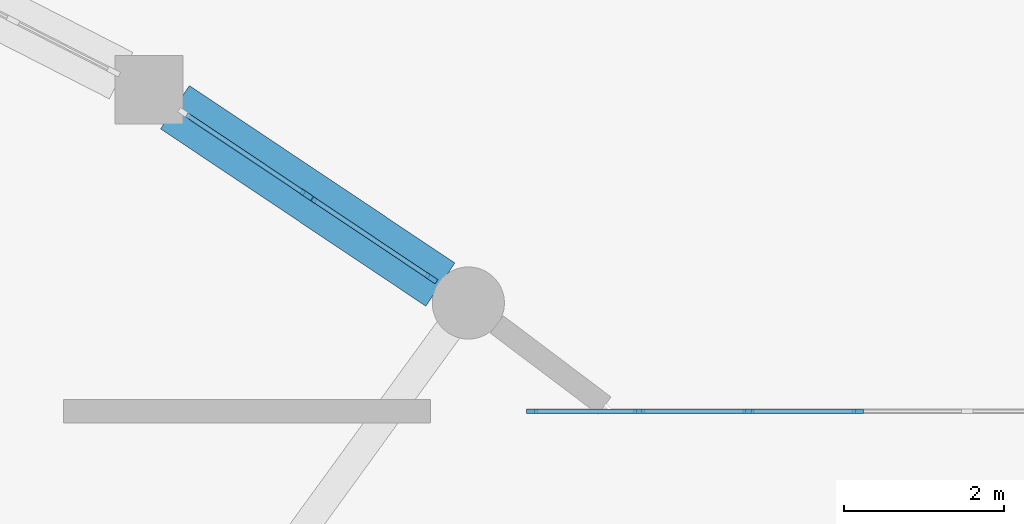
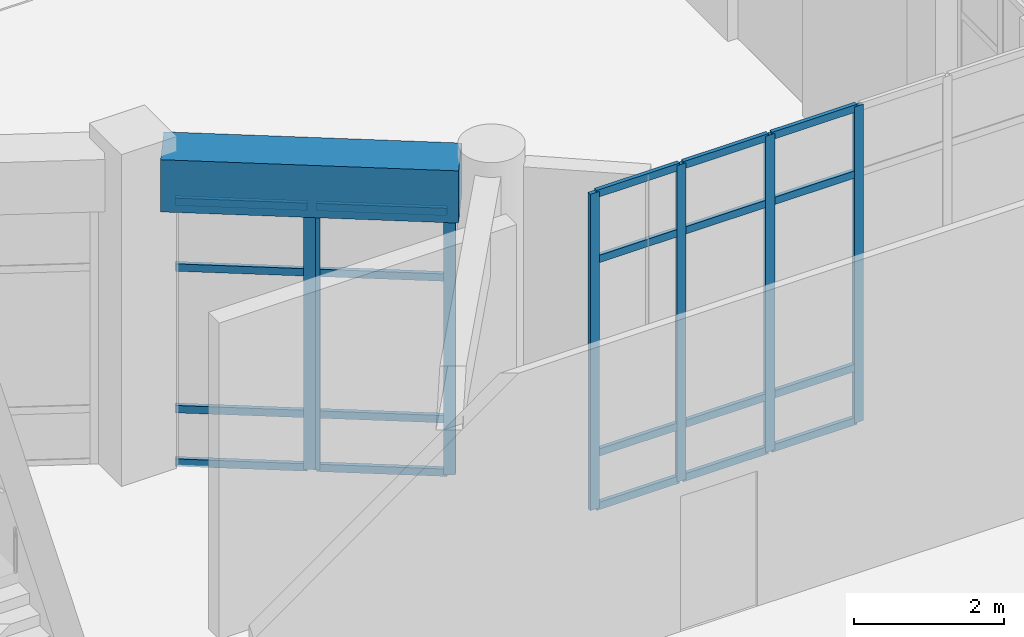
# One storey, part 19 of 70: 27 members, 1 beam, 3 elements without a shape of their own.
"""IFC4 building model written with IfcOpenShell, lengths in metres."""

import ifcopenshell
import ifcopenshell.guid

model = None  # the IFC model being written
_history = None  # IfcOwnerHistory: only IFC2X3 demands one
_inside = {}  # id of a spatial element -> (the spatial element, [elements in it])
_under = {}  # id of a project, library or spatial element -> (it, [spatial elements below it])
_declared = {}  # id of a project -> (the project, [libraries it declares])
_typed = {}  # id of a type object -> (the type object, [elements of that type])
_made_of = {}  # id of a material, layer set ... -> (it, [elements and type objects made of it])


def new_model(schema):
    """Start an empty IFC model of exactly this schema.

    Asked for "IFC4X3", IfcOpenShell would pick the latest addendum, in which some entities
    have other attributes; the version numbers below select the first issue.
    IFC2X3 requires an IfcOwnerHistory on every rooted entity: one is made here for all.
    """
    global model, _history
    if schema == "IFC4X3":
        model = ifcopenshell.file(schema_version=(4, 3, 0, 0))
    else:
        model = ifcopenshell.file(schema=schema)
    _inside.clear()
    _under.clear()
    _declared.clear()
    _typed.clear()
    _made_of.clear()
    _history = None
    if model.schema == "IFC2X3":
        org = make("IfcOrganization", Name="unknown")
        user = make(
            "IfcPersonAndOrganization",
            ThePerson=make("IfcPerson", FamilyName="unknown"),
            TheOrganization=org,
        )
        app = make(
            "IfcApplication",
            ApplicationDeveloper=org,
            Version="unknown",
            ApplicationFullName="unknown",
            ApplicationIdentifier="unknown",
        )
        _history = make(
            "IfcOwnerHistory",
            OwningUser=user,
            OwningApplication=app,
            ChangeAction="ADDED",
            CreationDate=0,
        )
    return model


def make(cls, **values):
    """One entity of the class cls with the attributes given. An attribute that is None is left unset."""
    return model.create_entity(
        cls, **{name: value for name, value in values.items() if value is not None}
    )


def rooted(cls, **values):
    """An entity with a GlobalId (a new one), such as an element, a storey or a relation."""
    return make(cls, GlobalId=ifcopenshell.guid.new(), OwnerHistory=_history, **values)


def si_unit(unit_type, name, prefix=None):
    """IfcSIUnit, for example si_unit("LENGTHUNIT", "METRE", prefix="MILLI")."""
    return make("IfcSIUnit", UnitType=unit_type, Prefix=prefix, Name=name)


def assignment(units):
    """IfcUnitAssignment: the units of a project."""
    return None if units is None else make("IfcUnitAssignment", Units=units)


def point(xyz):
    """IfcCartesianPoint."""
    return None if xyz is None else make("IfcCartesianPoint", Coordinates=xyz)


def direction(xyz):
    """IfcDirection."""
    return None if xyz is None else make("IfcDirection", DirectionRatios=xyz)


def frame(location, z_axis=None, x_axis=None):
    """IfcAxis2Placement3D, a coordinate frame: its origin and axes. An axis left out is left unset."""
    return make(
        "IfcAxis2Placement3D",
        Location=point(location),
        Axis=direction(z_axis),
        RefDirection=direction(x_axis),
    )


def frame_2d(location, x_axis=None):
    """IfcAxis2Placement2D, a coordinate frame in the plane: its origin and x axis."""
    return make(
        "IfcAxis2Placement2D", Location=point(location), RefDirection=direction(x_axis)
    )


def origin():
    """The frame at (0, 0, 0) with its axes left unset."""
    return frame((0.0, 0.0, 0.0))


def origin_2d():
    """The frame at (0, 0) in the plane with its x axis left unset."""
    return frame_2d((0.0, 0.0))


def place(relative_to, where):
    """IfcLocalPlacement: puts the frame where relative to a parent placement (None: the world)."""
    return make(
        "IfcLocalPlacement", PlacementRelTo=relative_to, RelativePlacement=where
    )


def context(
    kind, dimensions, precision=None, world=None, true_north=None, identifier=None
):
    """IfcGeometricRepresentationContext, for example the 3D "Model" context."""
    return make(
        "IfcGeometricRepresentationContext",
        ContextIdentifier=identifier,
        ContextType=kind,
        CoordinateSpaceDimension=dimensions,
        Precision=precision,
        WorldCoordinateSystem=world,
        TrueNorth=true_north,
    )


def subcontext(parent, identifier, kind, view, scale=None):
    """IfcGeometricRepresentationSubContext, for example "Body" below "Model"."""
    return make(
        "IfcGeometricRepresentationSubContext",
        ContextIdentifier=identifier,
        ContextType=kind,
        ParentContext=parent,
        TargetScale=scale,
        TargetView=view,
    )


def project(units=None, contexts=None):
    """IfcProject with its units and contexts."""
    return rooted(
        "IfcProject",
        Name="project",
        RepresentationContexts=contexts,
        UnitsInContext=assignment(units),
    )


def spatial(cls, under=None, at=None, **own):
    """A site, building, storey or space (cls), placed at a placement, below another one or the project."""
    s = rooted(cls, ObjectPlacement=at, **own)
    if under is not None:
        _under.setdefault(under.id(), (under, []))[1].append(s)
    return s


def profile(cls, at=None, kind="AREA", **sizes):
    """A parametric profile (cls). Its sizes go by their IFC names, for example OverallWidth=200.0."""
    return make(cls, ProfileType=kind, Position=at, **sizes)


def rectangle(**sizes):
    """IfcRectangleProfileDef."""
    return profile("IfcRectangleProfileDef", **sizes)


def extrude(swept, where, along, depth):
    """IfcExtrudedAreaSolid: the profile swept, set in the frame where, extruded along a direction by depth."""
    return make(
        "IfcExtrudedAreaSolid",
        SweptArea=swept,
        Position=where,
        ExtrudedDirection=direction(along),
        Depth=depth,
    )


def shape(context_of_items, identifier, shape_type, items):
    """IfcShapeRepresentation: the items that make up one representation, for example the "Body"."""
    return make(
        "IfcShapeRepresentation",
        ContextOfItems=context_of_items,
        RepresentationIdentifier=identifier,
        RepresentationType=shape_type,
        Items=items,
    )


def material(Name=None, Category=None):
    """IfcMaterial."""
    return make("IfcMaterial", Name=Name, Category=Category)


def layer(
    of_material, thickness, ventilated=None, Name=None, Category=None, Priority=None
):
    """IfcMaterialLayer: one layer of a wall or slab, of a material (None: an air gap)."""
    return make(
        "IfcMaterialLayer",
        Material=of_material,
        LayerThickness=thickness,
        IsVentilated=ventilated,
        Name=Name,
        Category=Category,
        Priority=Priority,
    )


def layer_set(layers, Name=None):
    """IfcMaterialLayerSet."""
    return make("IfcMaterialLayerSet", MaterialLayers=layers, LayerSetName=Name)


def material_profile(
    of_material, cross_section, Name=None, Category=None, Priority=None
):
    """IfcMaterialProfile: a cross section and its material."""
    return make(
        "IfcMaterialProfile",
        Name=Name,
        Material=of_material,
        Profile=cross_section,
        Priority=Priority,
        Category=Category,
    )


def profile_set(profiles, Name=None, composite=None):
    """IfcMaterialProfileSet."""
    return make(
        "IfcMaterialProfileSet",
        Name=Name,
        MaterialProfiles=profiles,
        CompositeProfile=composite,
    )


def made_of(thing, what):
    """Note that an element or type object is made of a material, layer set ...; save() writes the relation."""
    if what is not None:
        _made_of.setdefault(what.id(), (what, []))[1].append(thing)
    return thing


def type_object(cls, material=None, **own):
    """A type object (cls), such as IfcWallType, which elements share."""
    return made_of(rooted(cls, **own), material)


def element(
    cls,
    number,
    at=None,
    inside=None,
    cuts=None,
    type_object=None,
    material=None,
    context=None,
    identifier="Body",
    shape_type=None,
    held_by="IfcProductDefinitionShape",
    body=None,
    shapes=None,
    **own,
):
    """One element of the class cls, such as IfcWall. Its Tag is "e" and its number.

    at: its placement. inside: the storey or other place that contains it. cuts: it is an
    opening in that element (IfcRelVoidsElement). A single representation is given by context,
    identifier, shape_type and body (its items); several are given by shapes. held_by: the class
    of the entity that holds the representations. save() writes the other relations.
    """
    e = rooted(cls, Tag="e%d" % number, ObjectPlacement=at, **own)
    if body is not None:
        shapes = [shape(context, identifier, shape_type, body)]
    if shapes is not None:
        e.Representation = make(held_by, Representations=shapes)
    if inside is not None:
        _inside.setdefault(inside.id(), (inside, []))[1].append(e)
    if cuts is not None:
        rooted(
            "IfcRelVoidsElement", RelatingBuildingElement=cuts, RelatedOpeningElement=e
        )
    if type_object is not None:
        _typed.setdefault(type_object.id(), (type_object, []))[1].append(e)
    return made_of(e, material)


def aggregate(whole, parts):
    """IfcRelAggregates: a whole, such as a stair, and the parts it consists of."""
    return rooted("IfcRelAggregates", RelatingObject=whole, RelatedObjects=parts)


def save(model, path):
    """Write the relations noted so far, then the file.

    IfcRelAggregates (storeys below a building ...), IfcRelContainedInSpatialStructure (elements
    in a storey), IfcRelDefinesByType, IfcRelAssociatesMaterial and IfcRelDeclares: one each for
    every whole, place, type object, material and project.
    """
    for whole, parts in _under.values():
        aggregate(whole, parts)
    for where, things in _inside.values():
        rooted(
            "IfcRelContainedInSpatialStructure",
            RelatedElements=things,
            RelatingStructure=where,
        )
    for kind, things in _typed.values():
        rooted("IfcRelDefinesByType", RelatedObjects=things, RelatingType=kind)
    for what, things in _made_of.values():
        rooted("IfcRelAssociatesMaterial", RelatedObjects=things, RelatingMaterial=what)
    for by, libraries in _declared.values():
        rooted("IfcRelDeclares", RelatingContext=by, RelatedDefinitions=libraries)
    model.write(path)


model = new_model("IFC4")

# Units and contexts
model_context = context("Model", 3, precision=1e-05, world=origin(), true_north=direction((0.0, 1.0)))
body_context = subcontext(model_context, "Body", "Model", "MODEL_VIEW")
ifc_project = project(units=[si_unit("LENGTHUNIT", "METRE"), si_unit("AREAUNIT", "SQUARE_METRE"), si_unit("VOLUMEUNIT", "CUBIC_METRE"), si_unit("PLANEANGLEUNIT", "RADIAN"), si_unit("MASSUNIT", "GRAM", prefix="KILO")], contexts=[model_context])

# Site, building, storey
site_placement = place(None, origin())
site = spatial("IfcSite", under=ifc_project, at=site_placement, CompositionType="ELEMENT")
building_placement = place(site_placement, origin())
building = spatial("IfcBuilding", under=site, at=building_placement, Name="Miralva Faculty of Natural Sciences", CompositionType="ELEMENT")
storey_placement = place(building_placement, origin())
storey = spatial("IfcBuildingStorey", under=building, at=storey_placement, Name="L00", CompositionType="ELEMENT", Elevation=0.0)

# Beam
ifc_material_1 = material(Name="Concrete C40/50", Category="concrete")
ifc_material_profile_1 = material_profile(ifc_material_1, rectangle(XDim=0.64990234375, YDim=0.85009765625, at=origin_2d()), Name="RC 650x850")
ifc_profile_set_1 = profile_set([ifc_material_profile_1], Name="Concrete C40/50")
beam_type = type_object("IfcBeamType", Name="BM-SP03", PredefinedType="SPANDREL", material=ifc_profile_set_1)
beam_placement = place(storey_placement, frame((125.505859375, 28.580078125, 4.735107421875), z_axis=(-0.831417795146, 0.555647775047, 0.0), x_axis=(-0.555647775047, -0.831417795146, 0.0)))
element("IfcBeam", 1, at=beam_placement, inside=storey, type_object=beam_type, Name="Curved chord girder SHOUT L00-1", PredefinedType="SPANDREL", context=body_context, shape_type="SweptSolid", body=[
    extrude(rectangle(XDim=0.64990234375, YDim=0.85009765625, at=origin_2d()), origin(), (0.0, 0.0, 1.0), 3.982177734375),
])

# Curtain wall, member
ifc_material_2 = material(Name="Laminated solar-control glass", Category="glass")
ifc_layer_1 = layer(ifc_material_2, 0.179931640625, Name="CW-ARC-L00")
ifc_layer_set_1 = layer_set([ifc_layer_1], Name="Laminated solar-control glass")
curtain_wall_type_1 = type_object("IfcCurtainWallType", Name="CW-ARC-L00", PredefinedType="USERDEFINED", material=ifc_layer_set_1)
curtain_wall_1_placement = place(storey_placement, origin())
curtain_wall_1 = element("IfcCurtainWall", 2, at=curtain_wall_1_placement, inside=storey, type_object=curtain_wall_type_1, Name="Curtain wall CW-01 L00-11", ObjectType="UNITISED CURTAIN WALL", PredefinedType="USERDEFINED")
ifc_material_3 = material(Name="Anodised aluminium", Category="aluminium")
ifc_material_profile_2 = material_profile(ifc_material_3, rectangle(XDim=0.06494140625, YDim=0.159912109375, at=origin_2d()), Name="MULLION 65x160")
ifc_profile_set_2 = profile_set([ifc_material_profile_2], Name="Anodised aluminium")
member_type_1 = type_object("IfcMemberType", Name="CW-M02", PredefinedType="MULLION", material=ifc_profile_set_2)
member_1_placement = place(storey_placement, frame((123.836669921875, 29.698486328125, 0.0), z_axis=(0.0, 0.0, 1.0), x_axis=(0.555562302309, 0.831474911379, 0.0)))
member_1 = element("IfcMember", 3, at=member_1_placement, type_object=member_type_1, Name="CW-01 mullion 2", PredefinedType="MULLION", context=body_context, shape_type="SweptSolid", body=[
    extrude(rectangle(XDim=0.06494140625, YDim=0.159912109375, at=origin_2d()), origin(), (0.0, 0.0, 1.0), 4.304931640625),
])

# Curtain wall, members
curtain_wall_2_placement = place(storey_placement, origin())
curtain_wall_2 = element("IfcCurtainWall", 4, at=curtain_wall_2_placement, inside=storey, type_object=curtain_wall_type_1, Name="Curtain wall CW-01 L00-12", ObjectType="UNITISED CURTAIN WALL", PredefinedType="USERDEFINED")
member_2_placement = place(storey_placement, frame((123.886474609375, 29.665283203125, 0.0), z_axis=(0.0, 0.0, 1.0), x_axis=(0.555561501654, 0.831475446348, 0.0)))
member_2 = element("IfcMember", 5, at=member_2_placement, type_object=member_type_1, Name="CW-01 mullion 1", PredefinedType="MULLION", context=body_context, shape_type="SweptSolid", body=[
    extrude(rectangle(XDim=0.06494140625, YDim=0.159912109375, at=origin_2d()), origin(), (0.0, 0.0, 1.0), 4.304931640625),
])
member_3_placement = place(storey_placement, frame((125.391357421875, 28.65966796875, 0.0), z_axis=(0.0, 0.0, 1.0), x_axis=(0.555561501654, 0.831475446348, 0.0)))
member_3 = element("IfcMember", 6, at=member_3_placement, type_object=member_type_1, Name="CW-01 mullion 2", PredefinedType="MULLION", context=body_context, shape_type="SweptSolid", body=[
    extrude(rectangle(XDim=0.06494140625, YDim=0.159912109375, at=origin_2d()), origin(), (0.0, 0.0, 1.0), 4.304931640625),
])

ifc_layer_2 = layer(ifc_material_2, 0.179931640625, Name="CW-COM-L01")
ifc_layer_set_2 = layer_set([ifc_layer_2], Name="Laminated solar-control glass")
curtain_wall_type_2 = type_object("IfcCurtainWallType", Name="CW-COM-L01", PredefinedType="USERDEFINED", material=ifc_layer_set_2)
curtain_wall_3_placement = place(storey_placement, origin())
curtain_wall_3 = element("IfcCurtainWall", 7, at=curtain_wall_3_placement, inside=storey, type_object=curtain_wall_type_2, Name="Curtain wall CW-10 L00-287", ObjectType="UNITISED CURTAIN WALL", PredefinedType="USERDEFINED")
ifc_material_profile_3 = material_profile(ifc_material_3, rectangle(XDim=0.06005859375, YDim=0.139892578125, at=origin_2d()), Name="MULLION 60x140")
ifc_profile_set_3 = profile_set([ifc_material_profile_3], Name="Anodised aluminium")
member_type_2 = type_object("IfcMemberType", Name="CW-M03", PredefinedType="MULLION", material=ifc_profile_set_3)
member_4_placement = place(storey_placement, frame((126.64990234375, 27.0, 0.0), z_axis=(0.0, 0.0, 1.0), x_axis=(0.0, 1.0, 0.0)))
member_4 = element("IfcMember", 8, at=member_4_placement, type_object=member_type_2, Name="CW-10 mullion 1", PredefinedType="MULLION", context=body_context, shape_type="SweptSolid", body=[
    extrude(rectangle(XDim=0.06005859375, YDim=0.139892578125, at=origin_2d()), origin(), (0.0, 0.0, 1.0), 5.14990234375),
])
member_5_placement = place(storey_placement, frame((127.985107421875, 27.0, 0.0), z_axis=(0.0, 0.0, 1.0), x_axis=(0.0, 1.0, 0.0)))
member_5 = element("IfcMember", 9, at=member_5_placement, type_object=member_type_2, Name="CW-10 mullion 2", PredefinedType="MULLION", context=body_context, shape_type="SweptSolid", body=[
    extrude(rectangle(XDim=0.06005859375, YDim=0.139892578125, at=origin_2d()), origin(), (0.0, 0.0, 1.0), 5.14990234375),
])
member_6_placement = place(storey_placement, frame((129.35009765625, 27.0, 0.0), z_axis=(0.0, 0.0, 1.0), x_axis=(0.0, 1.0, 0.0)))
member_6 = element("IfcMember", 10, at=member_6_placement, type_object=member_type_2, Name="CW-10 mullion 3", PredefinedType="MULLION", context=body_context, shape_type="SweptSolid", body=[
    extrude(rectangle(XDim=0.06005859375, YDim=0.139892578125, at=origin_2d()), origin(), (0.0, 0.0, 1.0), 5.14990234375),
])
member_7_placement = place(storey_placement, frame((130.715087890625, 27.0, 0.0), z_axis=(0.0, 0.0, 1.0), x_axis=(0.0, 1.0, 0.0)))
member_7 = element("IfcMember", 11, at=member_7_placement, type_object=member_type_2, Name="CW-10 mullion 4", PredefinedType="MULLION", context=body_context, shape_type="SweptSolid", body=[
    extrude(rectangle(XDim=0.06005859375, YDim=0.139892578125, at=origin_2d()), origin(), (0.0, 0.0, 1.0), 5.14990234375),
])

# Member
ifc_material_profile_4 = material_profile(ifc_material_3, rectangle(XDim=0.06005859375, YDim=0.1201171875, at=origin_2d()), Name="TRANSOM 60x120")
ifc_profile_set_4 = profile_set([ifc_material_profile_4], Name="Anodised aluminium")
member_type_3 = type_object("IfcMemberType", Name="CW-T02", PredefinedType="USERDEFINED", material=ifc_profile_set_4)
member_8_placement = place(storey_placement, frame((122.338134765625, 30.699951171875, 0.030029296875), z_axis=(0.831413062816, -0.555654855985, 0.0), x_axis=(0.555654855985, 0.831413062816, 0.0)))
member_8 = element("IfcMember", 12, at=member_8_placement, type_object=member_type_3, Name="CW-01 transom 1.1", ObjectType="TRANSOM", PredefinedType="USERDEFINED", context=body_context, shape_type="SweptSolid", body=[
    extrude(rectangle(XDim=0.06005859375, YDim=0.1201171875, at=origin_2d()), origin(), (0.0, 0.0, 1.0), 1.769775390625),
])

member_9_placement = place(storey_placement, frame((122.338134765625, 30.699951171875, 0.89990234375), z_axis=(0.831413062816, -0.555654855985, 0.0), x_axis=(0.555654855985, 0.831413062816, 0.0)))
member_9 = element("IfcMember", 13, at=member_9_placement, type_object=member_type_3, Name="CW-01 transom 1.2", ObjectType="TRANSOM", PredefinedType="USERDEFINED", context=body_context, shape_type="SweptSolid", body=[
    extrude(rectangle(XDim=0.06005859375, YDim=0.1201171875, at=origin_2d()), origin(), (0.0, 0.0, 1.0), 1.769775390625),
])

member_10_placement = place(storey_placement, frame((122.338134765625, 30.699951171875, 3.205078125), z_axis=(0.831413062816, -0.555654855985, 0.0), x_axis=(0.555654855985, 0.831413062816, 0.0)))
member_10 = element("IfcMember", 14, at=member_10_placement, type_object=member_type_3, Name="CW-01 transom 1.3", ObjectType="TRANSOM", PredefinedType="USERDEFINED", context=body_context, shape_type="SweptSolid", body=[
    extrude(rectangle(XDim=0.06005859375, YDim=0.1201171875, at=origin_2d()), origin(), (0.0, 0.0, 1.0), 1.769775390625),
])

member_11_placement = place(storey_placement, frame((122.338134765625, 30.699951171875, 4.27490234375), z_axis=(0.831413062816, -0.555654855985, 0.0), x_axis=(0.555654855985, 0.831413062816, 0.0)))
member_11 = element("IfcMember", 15, at=member_11_placement, type_object=member_type_3, Name="CW-01 transom 1.4", ObjectType="TRANSOM", PredefinedType="USERDEFINED", context=body_context, shape_type="SweptSolid", body=[
    extrude(rectangle(XDim=0.06005859375, YDim=0.1201171875, at=origin_2d()), origin(), (0.0, 0.0, 1.0), 1.769775390625),
])

aggregate(curtain_wall_1, [member_1, member_8, member_9, member_10, member_11])

member_12_placement = place(storey_placement, frame((123.91357421875, 29.647216796875, 0.030029296875), z_axis=(0.831425493288, -0.555636256117, 0.0), x_axis=(0.555636256117, 0.831425493288, 0.0)))
member_12 = element("IfcMember", 16, at=member_12_placement, type_object=member_type_3, Name="CW-01 transom 1.1", ObjectType="TRANSOM", PredefinedType="USERDEFINED", context=body_context, shape_type="SweptSolid", body=[
    extrude(rectangle(XDim=0.06005859375, YDim=0.1201171875, at=origin_2d()), origin(), (0.0, 0.0, 1.0), 1.744873046875),
])

member_13_placement = place(storey_placement, frame((123.91357421875, 29.647216796875, 0.89990234375), z_axis=(0.831425493288, -0.555636256117, 0.0), x_axis=(0.555636256117, 0.831425493288, 0.0)))
member_13 = element("IfcMember", 17, at=member_13_placement, type_object=member_type_3, Name="CW-01 transom 1.2", ObjectType="TRANSOM", PredefinedType="USERDEFINED", context=body_context, shape_type="SweptSolid", body=[
    extrude(rectangle(XDim=0.06005859375, YDim=0.1201171875, at=origin_2d()), origin(), (0.0, 0.0, 1.0), 1.744873046875),
])

member_14_placement = place(storey_placement, frame((123.91357421875, 29.647216796875, 3.205078125), z_axis=(0.831425493288, -0.555636256117, 0.0), x_axis=(0.555636256117, 0.831425493288, 0.0)))
member_14 = element("IfcMember", 18, at=member_14_placement, type_object=member_type_3, Name="CW-01 transom 1.3", ObjectType="TRANSOM", PredefinedType="USERDEFINED", context=body_context, shape_type="SweptSolid", body=[
    extrude(rectangle(XDim=0.06005859375, YDim=0.1201171875, at=origin_2d()), origin(), (0.0, 0.0, 1.0), 1.744873046875),
])

member_15_placement = place(storey_placement, frame((123.91357421875, 29.647216796875, 4.27490234375), z_axis=(0.831425493288, -0.555636256117, 0.0), x_axis=(0.555636256117, 0.831425493288, 0.0)))
member_15 = element("IfcMember", 19, at=member_15_placement, type_object=member_type_3, Name="CW-01 transom 1.4", ObjectType="TRANSOM", PredefinedType="USERDEFINED", context=body_context, shape_type="SweptSolid", body=[
    extrude(rectangle(XDim=0.06005859375, YDim=0.1201171875, at=origin_2d()), origin(), (0.0, 0.0, 1.0), 1.744873046875),
])

aggregate(curtain_wall_2, [member_2, member_3, member_12, member_13, member_14, member_15])

member_16_placement = place(storey_placement, frame((126.679931640625, 27.0, 0.030029296875), z_axis=(1.0, 0.0, 0.0), x_axis=(0.0, 1.0, 0.0)))
member_16 = element("IfcMember", 20, at=member_16_placement, type_object=member_type_3, Name="CW-10 transom 1.1", ObjectType="TRANSOM", PredefinedType="USERDEFINED", context=body_context, shape_type="SweptSolid", body=[
    extrude(rectangle(XDim=0.06005859375, YDim=0.1201171875, at=origin_2d()), origin(), (0.0, 0.0, 1.0), 1.275146484375),
])

member_17_placement = place(storey_placement, frame((126.679931640625, 27.0, 0.89990234375), z_axis=(1.0, 0.0, 0.0), x_axis=(0.0, 1.0, 0.0)))
member_17 = element("IfcMember", 21, at=member_17_placement, type_object=member_type_3, Name="CW-10 transom 1.2", ObjectType="TRANSOM", PredefinedType="USERDEFINED", context=body_context, shape_type="SweptSolid", body=[
    extrude(rectangle(XDim=0.06005859375, YDim=0.1201171875, at=origin_2d()), origin(), (0.0, 0.0, 1.0), 1.275146484375),
])

member_18_placement = place(storey_placement, frame((126.679931640625, 27.0, 4.050048828125), z_axis=(1.0, 0.0, 0.0), x_axis=(0.0, 1.0, 0.0)))
member_18 = element("IfcMember", 22, at=member_18_placement, type_object=member_type_3, Name="CW-10 transom 1.3", ObjectType="TRANSOM", PredefinedType="USERDEFINED", context=body_context, shape_type="SweptSolid", body=[
    extrude(rectangle(XDim=0.06005859375, YDim=0.1201171875, at=origin_2d()), origin(), (0.0, 0.0, 1.0), 1.275146484375),
])

member_19_placement = place(storey_placement, frame((126.679931640625, 27.0, 5.1201171875), z_axis=(1.0, 0.0, 0.0), x_axis=(0.0, 1.0, 0.0)))
member_19 = element("IfcMember", 23, at=member_19_placement, type_object=member_type_3, Name="CW-10 transom 1.4", ObjectType="TRANSOM", PredefinedType="USERDEFINED", context=body_context, shape_type="SweptSolid", body=[
    extrude(rectangle(XDim=0.06005859375, YDim=0.1201171875, at=origin_2d()), origin(), (0.0, 0.0, 1.0), 1.275146484375),
])

member_20_placement = place(storey_placement, frame((128.014892578125, 27.0, 0.030029296875), z_axis=(1.0, 0.0, 0.0), x_axis=(0.0, 1.0, 0.0)))
member_20 = element("IfcMember", 24, at=member_20_placement, type_object=member_type_3, Name="CW-10 transom 2.1", ObjectType="TRANSOM", PredefinedType="USERDEFINED", context=body_context, shape_type="SweptSolid", body=[
    extrude(rectangle(XDim=0.06005859375, YDim=0.1201171875, at=origin_2d()), origin(), (0.0, 0.0, 1.0), 1.30517578125),
])

member_21_placement = place(storey_placement, frame((128.014892578125, 27.0, 0.89990234375), z_axis=(1.0, 0.0, 0.0), x_axis=(0.0, 1.0, 0.0)))
member_21 = element("IfcMember", 25, at=member_21_placement, type_object=member_type_3, Name="CW-10 transom 2.2", ObjectType="TRANSOM", PredefinedType="USERDEFINED", context=body_context, shape_type="SweptSolid", body=[
    extrude(rectangle(XDim=0.06005859375, YDim=0.1201171875, at=origin_2d()), origin(), (0.0, 0.0, 1.0), 1.30517578125),
])

member_22_placement = place(storey_placement, frame((128.014892578125, 27.0, 4.050048828125), z_axis=(1.0, 0.0, 0.0), x_axis=(0.0, 1.0, 0.0)))
member_22 = element("IfcMember", 26, at=member_22_placement, type_object=member_type_3, Name="CW-10 transom 2.3", ObjectType="TRANSOM", PredefinedType="USERDEFINED", context=body_context, shape_type="SweptSolid", body=[
    extrude(rectangle(XDim=0.06005859375, YDim=0.1201171875, at=origin_2d()), origin(), (0.0, 0.0, 1.0), 1.30517578125),
])

member_23_placement = place(storey_placement, frame((128.014892578125, 27.0, 5.1201171875), z_axis=(1.0, 0.0, 0.0), x_axis=(0.0, 1.0, 0.0)))
member_23 = element("IfcMember", 27, at=member_23_placement, type_object=member_type_3, Name="CW-10 transom 2.4", ObjectType="TRANSOM", PredefinedType="USERDEFINED", context=body_context, shape_type="SweptSolid", body=[
    extrude(rectangle(XDim=0.06005859375, YDim=0.1201171875, at=origin_2d()), origin(), (0.0, 0.0, 1.0), 1.30517578125),
])

member_24_placement = place(storey_placement, frame((129.3798828125, 27.0, 0.030029296875), z_axis=(1.0, 0.0, 0.0), x_axis=(0.0, 1.0, 0.0)))
member_24 = element("IfcMember", 28, at=member_24_placement, type_object=member_type_3, Name="CW-10 transom 3.1", ObjectType="TRANSOM", PredefinedType="USERDEFINED", context=body_context, shape_type="SweptSolid", body=[
    extrude(rectangle(XDim=0.06005859375, YDim=0.1201171875, at=origin_2d()), origin(), (0.0, 0.0, 1.0), 1.30517578125),
])

member_25_placement = place(storey_placement, frame((129.3798828125, 27.0, 0.89990234375), z_axis=(1.0, 0.0, 0.0), x_axis=(0.0, 1.0, 0.0)))
member_25 = element("IfcMember", 29, at=member_25_placement, type_object=member_type_3, Name="CW-10 transom 3.2", ObjectType="TRANSOM", PredefinedType="USERDEFINED", context=body_context, shape_type="SweptSolid", body=[
    extrude(rectangle(XDim=0.06005859375, YDim=0.1201171875, at=origin_2d()), origin(), (0.0, 0.0, 1.0), 1.30517578125),
])

member_26_placement = place(storey_placement, frame((129.3798828125, 27.0, 4.050048828125), z_axis=(1.0, 0.0, 0.0), x_axis=(0.0, 1.0, 0.0)))
member_26 = element("IfcMember", 30, at=member_26_placement, type_object=member_type_3, Name="CW-10 transom 3.3", ObjectType="TRANSOM", PredefinedType="USERDEFINED", context=body_context, shape_type="SweptSolid", body=[
    extrude(rectangle(XDim=0.06005859375, YDim=0.1201171875, at=origin_2d()), origin(), (0.0, 0.0, 1.0), 1.30517578125),
])

member_27_placement = place(storey_placement, frame((129.3798828125, 27.0, 5.1201171875), z_axis=(1.0, 0.0, 0.0), x_axis=(0.0, 1.0, 0.0)))
member_27 = element("IfcMember", 31, at=member_27_placement, type_object=member_type_3, Name="CW-10 transom 3.4", ObjectType="TRANSOM", PredefinedType="USERDEFINED", context=body_context, shape_type="SweptSolid", body=[
    extrude(rectangle(XDim=0.06005859375, YDim=0.1201171875, at=origin_2d()), origin(), (0.0, 0.0, 1.0), 1.30517578125),
])

aggregate(curtain_wall_3, [member_4, member_5, member_6, member_7, member_16, member_17, member_18, member_19, member_20, member_21, member_22, member_23, member_24, member_25, member_26, member_27])

save(model, "model.ifc")
